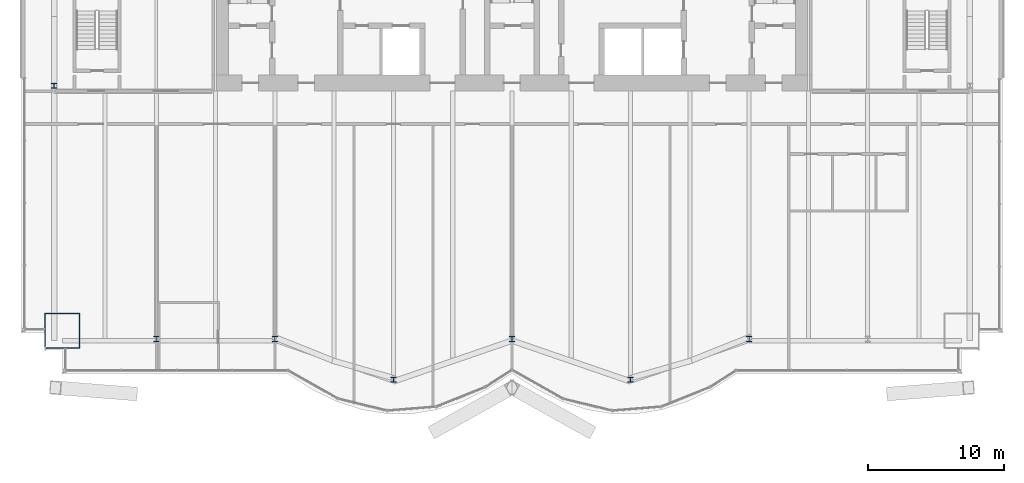
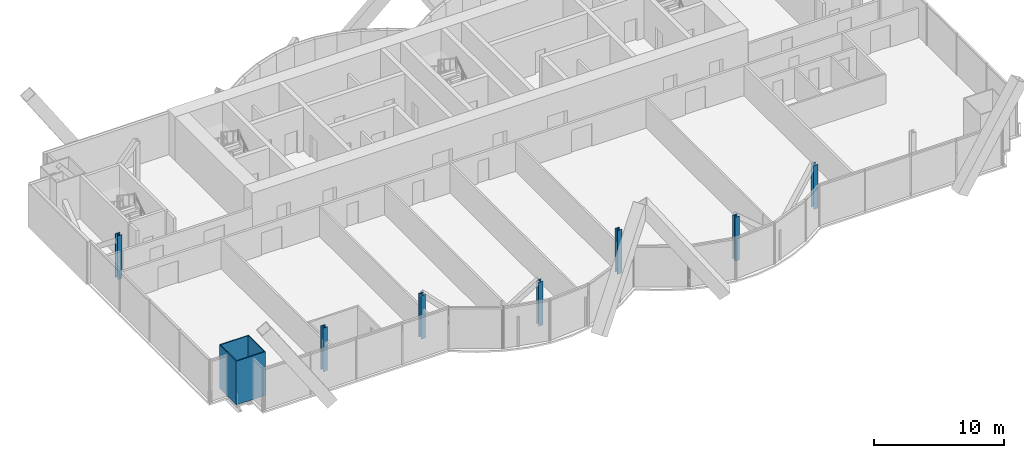
# One storey, part 1 of 21: 8 columns.
"""IFC4 building model written with IfcOpenShell, lengths in metres."""

from ifc_helpers import new_model, si_unit, direction, frame, origin, origin_2d, place, context, subcontext, project, spatial, hollow_rectangle, i_section, extrude, material, material_profile, profile_set, type_object, element, save


model = new_model("IFC4")

# Units and contexts
model_context = context("Model", 3, precision=1e-05, world=origin(), true_north=direction((0.0, 1.0)))
body_context = subcontext(model_context, "Body", "Model", "MODEL_VIEW")
ifc_project = project(units=[si_unit("LENGTHUNIT", "METRE"), si_unit("AREAUNIT", "SQUARE_METRE"), si_unit("VOLUMEUNIT", "CUBIC_METRE"), si_unit("PLANEANGLEUNIT", "RADIAN"), si_unit("MASSUNIT", "GRAM", prefix="KILO")], contexts=[model_context])

# Site, building, storey
site_placement = place(None, origin())
site = spatial("IfcSite", under=ifc_project, at=site_placement, CompositionType="ELEMENT")
building_placement = place(site_placement, origin())
building = spatial("IfcBuilding", under=site, at=building_placement, Name="Bicima Exchange Tower", CompositionType="ELEMENT")
storey_placement = place(building_placement, frame((0.0, 0.0, 181.39990234375)))
storey = spatial("IfcBuildingStorey", under=building, at=storey_placement, Name="L40", CompositionType="ELEMENT", Elevation=181.39990234375)

# Columns
ifc_material_1 = material(Name="Steel ASTM A572 Gr 50", Category="steel")
ifc_material_profile_1 = material_profile(ifc_material_1, hollow_rectangle(XDim=2.60009765625, YDim=2.60009765625, WallThickness=0.080078125, at=origin_2d()))
ifc_profile_set_1 = profile_set([ifc_material_profile_1], Name="Steel ASTM A572 Gr 50")
column_type_1 = type_object("IfcColumnType", Name="Mega column BOX 2600x2600x80", PredefinedType="COLUMN", material=ifc_profile_set_1)
column_placement = place(storey_placement, frame((-33.0, -30.58203125, 0.0), z_axis=(0.0, 0.0, 1.0), x_axis=(1.0, 0.0, 0.0)))
element("IfcColumn", 1, at=column_placement, inside=storey, type_object=column_type_1, Name="Mega column mega-33.0f", PredefinedType="COLUMN", context=body_context, shape_type="SweptSolid", body=[
    extrude(hollow_rectangle(XDim=2.60009765625, YDim=2.60009765625, WallThickness=0.080078125, at=origin_2d()), origin(), (0.0, 0.0, 1.0), 4.10009765625),
])
ifc_material_2 = material(Name="Steel ASTM A992 Gr 50", Category="steel")
ifc_material_profile_2 = material_profile(ifc_material_2, i_section(OverallWidth=0.396240234375, OverallDepth=0.381103515625, WebThickness=0.01904296875, FlangeThickness=0.0302734375, at=origin_2d()))
ifc_profile_set_2 = profile_set([ifc_material_profile_2], Name="Steel ASTM A992 Gr 50")
column_type_2 = type_object("IfcColumnType", Name="Perimeter column W14x159", PredefinedType="COLUMN", material=ifc_profile_set_2)
for number, where, z_axis, x_axis, name in (
    (2, (-26.10009765625, -31.181884765625, 0.0), (0.0, 0.0, 1.0), (1.0, 0.0, 0.0), "Perimeter column grav-26.1f"),
    (3, (-17.39990234375, -31.181884765625, 0.0), (0.0, 0.0, 1.0), (1.0, 0.0, 0.0), "Perimeter column grav-17.4f"),
    (4, (-8.699951171875, -34.173095703125, 0.0), (0.0, 0.0, 1.0), (1.0, 0.0, 0.0), "Perimeter column grav-8.7f"),
    (5, (0.0, -31.181884765625, 0.0), (0.0, 0.0, 1.0), (1.0, 0.0, 0.0), "Perimeter column grav-0.0f"),
    (6, (8.699951171875, -34.173095703125, 0.0), (0.0, 0.0, 1.0), (1.0, 0.0, 0.0), "Perimeter column grav+8.7f"),
    (7, (17.39990234375, -31.181884765625, 0.0), (0.0, 0.0, 1.0), (1.0, 0.0, 0.0), "Perimeter column grav+17.4f"),
    (8, (-33.60009765625, -12.60009765625, 0.0), (0.0, 0.0, 1.0), (1.0, 0.0, 0.0), "End column end-33.6e"),
):
    element("IfcColumn", number, at=place(storey_placement, frame(where, z_axis=z_axis, x_axis=x_axis)), inside=storey, type_object=column_type_2, Name=name, PredefinedType="COLUMN", context=body_context, shape_type="SweptSolid", body=[
        extrude(i_section(OverallWidth=0.396240234375, OverallDepth=0.381103515625, WebThickness=0.01904296875, FlangeThickness=0.0302734375, at=origin_2d()), origin(), (0.0, 0.0, 1.0), 4.10009765625),
    ])

save(model, "model.ifc")
